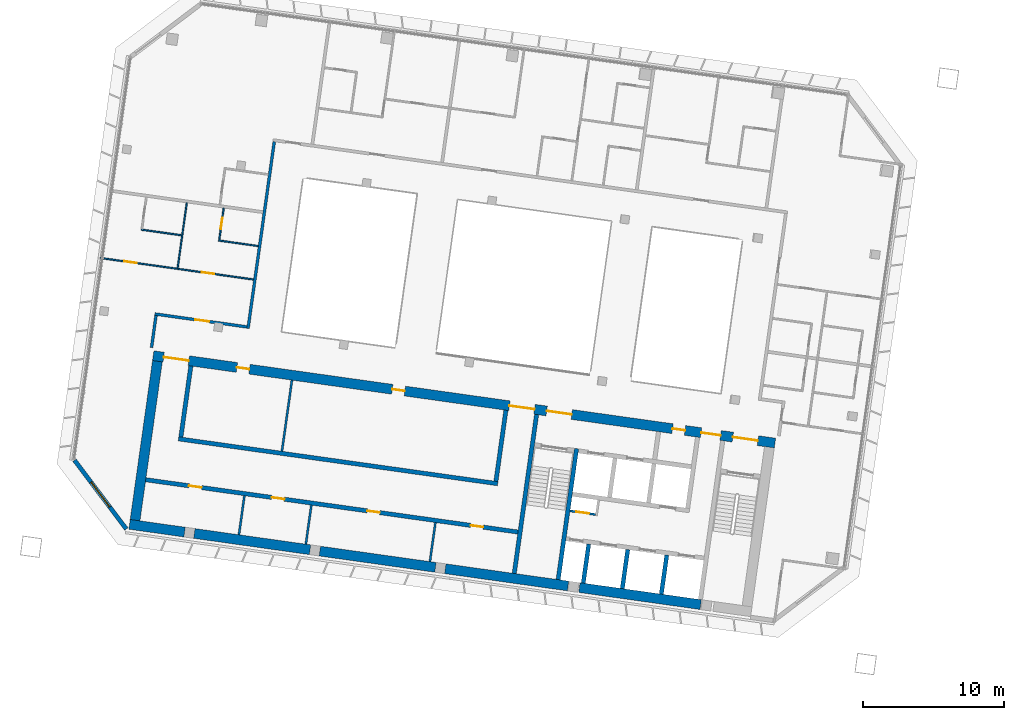
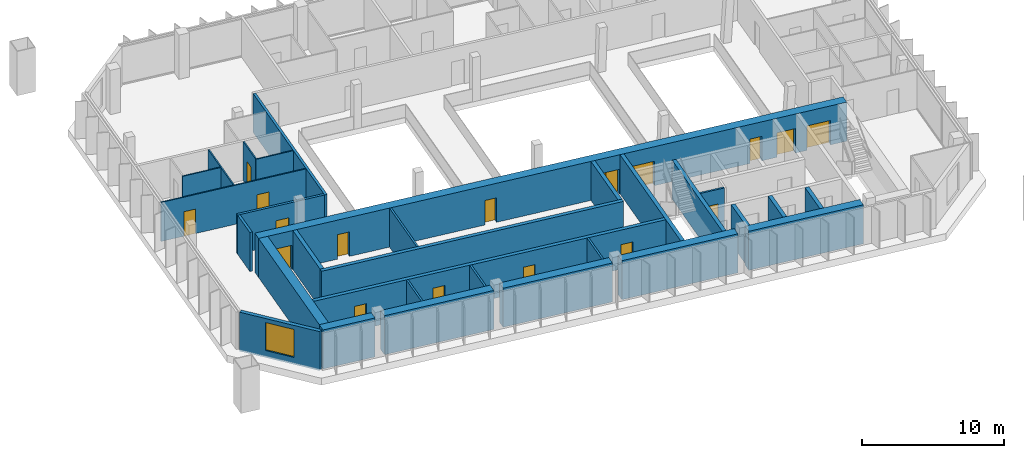
# One storey, part 13 of 23: 30 walls, 17 doors, 1 window, 18 openings.
"""IFC4 building model written with IfcOpenShell, lengths in metres."""

from ifc_helpers import new_model, si_unit, direction, frame, frame_2d, origin, place, context, subcontext, project, spatial, rectangle, extrude, material, layer, layer_set, type_object, element, fill, save


model = new_model("IFC4")

# Units and contexts
model_context = context("Model", 3, precision=1e-05, world=origin(), true_north=direction((0.0, 1.0)))
body_context = subcontext(model_context, "Body", "Model", "MODEL_VIEW")
ifc_project = project(units=[si_unit("LENGTHUNIT", "METRE"), si_unit("AREAUNIT", "SQUARE_METRE"), si_unit("VOLUMEUNIT", "CUBIC_METRE"), si_unit("PLANEANGLEUNIT", "RADIAN"), si_unit("MASSUNIT", "GRAM", prefix="KILO")], contexts=[model_context])

# Site, building, storey
site_placement = place(None, origin())
site = spatial("IfcSite", under=ifc_project, at=site_placement, CompositionType="ELEMENT")
building_placement = place(site_placement, origin())
building = spatial("IfcBuilding", under=site, at=building_placement, Name="Mirante Cascada Hotel Towers", CompositionType="ELEMENT")
storey_placement = place(building_placement, frame((0.0, 0.0, 187.8)))
storey = spatial("IfcBuildingStorey", under=building, at=storey_placement, Name="L44", CompositionType="ELEMENT", Elevation=187.8)

# Wall, opening, door
ifc_material_1 = material(Name="Fire-rated plasterboard on metal studs")
ifc_layer_1 = layer(ifc_material_1, 0.2)
ifc_layer_set_1 = layer_set([ifc_layer_1], Name="Compartment wall 200 EI 120")
wall_type_1 = type_object("IfcWallType", Name="Compartment wall 200 EI 120", PredefinedType="PARTITIONING", material=ifc_layer_set_1)
wall_1_placement = place(storey_placement, frame((-79.5905, 1.5361, 0.0), z_axis=(0.0, 0.0, 1.0), x_axis=(0.990267, -0.139181, 0.0)))
wall_1 = element("IfcWall", 1, at=wall_1_placement, inside=storey, type_object=wall_type_1, Name="Wall 1-L44-04", PredefinedType="PARTITIONING", context=body_context, shape_type="SweptSolid", body=[
    extrude(rectangle(XDim=6.6, YDim=0.2, at=frame_2d((3.3, 0.0))), origin(), (0.0, 0.0, 1.0), 3.35),
])
opening_1_placement = place(wall_1_placement, frame((2.9, 0.0, 0.0)))
opening_1 = element("IfcOpeningElement", 2, at=opening_1_placement, cuts=wall_1, Name="Opening D1-L44-03", PredefinedType="OPENING", context=body_context, shape_type="SweptSolid", body=[
    extrude(rectangle(XDim=1.0, YDim=2.1, at=frame_2d((0.5, 1.05))), frame((0.0, 0.1, 0.0), z_axis=(0.0, -1.0, 0.0), x_axis=(1.0, 0.0, 0.0)), (0.0, 0.0, 1.0), 0.2),
])
ifc_material_2 = material(Name="Fire-rated timber door leaf", Category="wood")
door_type_1 = type_object("IfcDoorType", Name="Entrance door DG1 1000x2100 EI 60", OperationType="SINGLE_SWING_LEFT", PredefinedType="DOOR", material=ifc_material_2)
door_1_placement = place(opening_1_placement, frame((1.0, 0.0, 0.0), z_axis=(0.0, 0.0, 1.0), x_axis=(-1.0, 0.0, 0.0)))
door_1 = element("IfcDoor", 3, at=door_1_placement, inside=storey, type_object=door_type_1, Name="Door D1-L44-03", OperationType="SINGLE_SWING_RIGHT", OverallHeight=2.1, OverallWidth=1.0, PredefinedType="DOOR", context=body_context, shape_type="SweptSolid", body=[
    extrude(rectangle(XDim=1.0, YDim=2.1, at=frame_2d((0.5, 1.05))), frame((0.0, 0.025, 0.0), z_axis=(0.0, -1.0, 0.0), x_axis=(1.0, 0.0, 0.0)), (0.0, 0.0, 1.0), 0.05),
])
fill(opening_1, door_1)

# Walls
wall_2_placement = place(storey_placement, frame((-71.1047, 13.7742, 0.0), z_axis=(0.0, 0.0, 1.0), x_axis=(-0.1391716, -0.9902683, 0.0)))
element("IfcWall", 4, at=wall_2_placement, inside=storey, type_object=wall_type_1, Name="Wall 1-L44-48", PredefinedType="PARTITIONING", context=body_context, shape_type="SweptSolid", body=[
    extrude(rectangle(XDim=13.4, YDim=0.2, at=frame_2d((6.7, 0.0))), origin(), (0.0, 0.0, 1.0), 3.35),
])
wall_3_placement = place(storey_placement, frame((-79.5054, 1.4231, 0.0), z_axis=(0.0, 0.0, 1.0), x_axis=(-0.1391749, -0.9902678, 0.0)))
element("IfcWall", 5, at=wall_3_placement, inside=storey, type_object=wall_type_1, Name="Wall 1-L44-52", PredefinedType="PARTITIONING", context=body_context, shape_type="SweptSolid", body=[
    extrude(rectangle(XDim=2.3, YDim=0.2, at=frame_2d((1.15, 0.0))), origin(), (0.0, 0.0, 1.0), 3.35),
])

# Wall, opening, door
ifc_material_3 = material(Name="Masonry block", Category="masonry")
ifc_layer_2 = layer(ifc_material_3, 0.15)
ifc_layer_set_2 = layer_set([ifc_layer_2], Name="Core room partition 150 block EI 30")
wall_type_2 = type_object("IfcWallType", Name="Core room partition 150 block EI 30", PredefinedType="PARTITIONING", material=ifc_layer_set_2)
wall_4_placement = place(storey_placement, frame((-48.2933, -12.7083, 0.0), z_axis=(0.0, 0.0, 1.0), x_axis=(-0.990268, 0.1391734, 0.0)))
wall_4 = element("IfcWall", 6, at=wall_4_placement, inside=storey, type_object=wall_type_2, Name="Core wall partition T1 L44 3", PredefinedType="PARTITIONING", context=body_context, shape_type="SweptSolid", body=[
    extrude(rectangle(XDim=1.8251, YDim=0.15, at=frame_2d((0.9126, 0.0))), origin(), (0.0, 0.0, 1.0), 3.35),
])
opening_2_placement = place(wall_4_placement, frame((0.4625, 0.0, 0.0)))
opening_2 = element("IfcOpeningElement", 7, at=opening_2_placement, cuts=wall_4, Name="Opening D1-44-C15", PredefinedType="OPENING", context=body_context, shape_type="SweptSolid", body=[
    extrude(rectangle(XDim=0.9, YDim=2.1, at=frame_2d((0.45, 1.05))), frame((0.0, 0.075, 0.0), z_axis=(0.0, -1.0, 0.0), x_axis=(1.0, 0.0, 0.0)), (0.0, 0.0, 1.0), 0.15),
])
ifc_material_4 = material(Name="Hollow metal fire door leaf")
door_type_2 = type_object("IfcDoorType", Name="Fire door 900x2100 FD60", OperationType="NOTDEFINED", PredefinedType="DOOR", material=ifc_material_4)
door_2_placement = place(opening_2_placement, origin())
door_2 = element("IfcDoor", 8, at=door_2_placement, inside=storey, type_object=door_type_2, Name="Riser door T1 L44 15", OperationType="SINGLE_SWING_LEFT", OverallHeight=2.1, OverallWidth=0.9, PredefinedType="DOOR", context=body_context, shape_type="SweptSolid", body=[
    extrude(rectangle(XDim=0.9, YDim=2.1, at=frame_2d((0.45, 1.05))), frame((0.0, 0.025, 0.0), z_axis=(0.0, -1.0, 0.0), x_axis=(1.0, 0.0, 0.0)), (0.0, 0.0, 1.0), 0.05),
])
fill(opening_2, door_2)

# Walls
wall_5_placement = place(storey_placement, frame((-60.0485, -16.0548, 0.0), z_axis=(0.0, 0.0, 1.0), x_axis=(0.139181, 0.990267, 0.0)))
element("IfcWall", 9, at=wall_5_placement, inside=storey, type_object=wall_type_2, Name="Core wall partition T1 L44 5", PredefinedType="PARTITIONING", context=body_context, shape_type="SweptSolid", body=[
    extrude(rectangle(XDim=2.8, YDim=0.15, at=frame_2d((1.4, 0.0))), origin(), (0.0, 0.0, 1.0), 3.35),
])
for number, where, z_axis, x_axis, name in (
    (10, (-68.8619, -14.8162, 0.0), (0.0, 0.0, 1.0), (0.139176, 0.9902677, 0.0), "Core wall partition T1 L44 6"),
    (11, (-73.6152, -14.1482, 0.0), (0.0, 0.0, 1.0), (0.139176, 0.9902677, 0.0), "Core wall partition T1 L44 7"),
):
    element("IfcWall", number, at=place(storey_placement, frame(where, z_axis=z_axis, x_axis=x_axis)), inside=storey, type_object=wall_type_2, Name=name, PredefinedType="PARTITIONING", context=body_context, shape_type="SweptSolid", body=[
        extrude(rectangle(XDim=2.8001, YDim=0.15, at=frame_2d((1.4, 0.0))), origin(), (0.0, 0.0, 1.0), 3.35),
    ])
wall_6_placement = place(storey_placement, frame((-70.5598, -8.2157, 0.0), z_axis=(0.0, 0.0, 1.0), x_axis=(0.1391755, 0.9902677, 0.0)))
element("IfcWall", 12, at=wall_6_placement, inside=storey, type_object=wall_type_2, Name="Core wall partition T1 L44 8", PredefinedType="PARTITIONING", context=body_context, shape_type="SweptSolid", body=[
    extrude(rectangle(XDim=5.1, YDim=0.15, at=frame_2d((2.55, 0.0))), origin(), (0.0, 0.0, 1.0), 3.35),
])

# Wall, openings, doors
ifc_material_5 = material(Name="Masonry block", Category="masonry")
ifc_layer_3 = layer(ifc_material_5, 0.3)
ifc_layer_set_3 = layer_set([ifc_layer_3], Name="Core wall 300 block EI 120")
wall_type_3 = type_object("IfcWallType", Name="Core wall 300 block EI 120", PredefinedType="PARTITIONING", material=ifc_layer_set_3)
wall_7_placement = place(storey_placement, frame((-53.7953, -13.9547, 0.0), z_axis=(0.0, 0.0, 1.0), x_axis=(-0.9902677, 0.1391758, 0.0)))
wall_7 = element("IfcWall", 13, at=wall_7_placement, inside=storey, type_object=wall_type_3, Name="Core wall partition T1 L44 4", PredefinedType="PARTITIONING", context=body_context, shape_type="SweptSolid", body=[
    extrude(rectangle(XDim=26.7001, YDim=0.3, at=frame_2d((13.35, 0.0))), origin(), (0.0, 0.0, 1.0), 3.35),
])
opening_3_placement = place(wall_7_placement, frame((2.5, 0.0, 0.0)))
opening_3 = element("IfcOpeningElement", 14, at=opening_3_placement, cuts=wall_7, Name="Opening D1-44-C17", PredefinedType="OPENING", context=body_context, shape_type="SweptSolid", body=[
    extrude(rectangle(XDim=0.9, YDim=2.1, at=frame_2d((0.45, 1.05))), frame((0.0, 0.15, 0.0), z_axis=(0.0, -1.0, 0.0), x_axis=(1.0, 0.0, 0.0)), (0.0, 0.0, 1.0), 0.3),
])
opening_4_placement = place(wall_7_placement, frame((9.9, 0.0, 0.0)))
opening_4 = element("IfcOpeningElement", 15, at=opening_4_placement, cuts=wall_7, Name="Opening D1-44-C18", PredefinedType="OPENING", context=body_context, shape_type="SweptSolid", body=[
    extrude(rectangle(XDim=0.9, YDim=2.1, at=frame_2d((0.45, 1.05))), frame((0.0, 0.15, 0.0), z_axis=(0.0, -1.0, 0.0), x_axis=(1.0, 0.0, 0.0)), (0.0, 0.0, 1.0), 0.3),
])
opening_5_placement = place(wall_7_placement, frame((16.75, 0.0, 0.0)))
opening_5 = element("IfcOpeningElement", 16, at=opening_5_placement, cuts=wall_7, Name="Opening D1-44-C19", PredefinedType="OPENING", context=body_context, shape_type="SweptSolid", body=[
    extrude(rectangle(XDim=0.9, YDim=2.1, at=frame_2d((0.45, 1.05))), frame((0.0, 0.15, 0.0), z_axis=(0.0, -1.0, 0.0), x_axis=(1.0, 0.0, 0.0)), (0.0, 0.0, 1.0), 0.3),
])
opening_6_placement = place(wall_7_placement, frame((22.7, 0.0, 0.0)))
opening_6 = element("IfcOpeningElement", 17, at=opening_6_placement, cuts=wall_7, Name="Opening D1-44-C20", PredefinedType="OPENING", context=body_context, shape_type="SweptSolid", body=[
    extrude(rectangle(XDim=0.9, YDim=2.1, at=frame_2d((0.45, 1.05))), frame((0.0, 0.15, 0.0), z_axis=(0.0, -1.0, 0.0), x_axis=(1.0, 0.0, 0.0)), (0.0, 0.0, 1.0), 0.3),
])
door_3_placement = place(opening_3_placement, origin())
door_3 = element("IfcDoor", 18, at=door_3_placement, inside=storey, type_object=door_type_2, Name="Room door T1 L44 17", OperationType="SINGLE_SWING_RIGHT", OverallHeight=2.1, OverallWidth=0.9, PredefinedType="DOOR", context=body_context, shape_type="SweptSolid", body=[
    extrude(rectangle(XDim=0.9, YDim=2.1, at=frame_2d((0.45, 1.05))), frame((0.0, 0.025, 0.0), z_axis=(0.0, -1.0, 0.0), x_axis=(1.0, 0.0, 0.0)), (0.0, 0.0, 1.0), 0.05),
])
fill(opening_3, door_3)
door_4_placement = place(opening_4_placement, origin())
door_4 = element("IfcDoor", 19, at=door_4_placement, inside=storey, type_object=door_type_2, Name="Room door T1 L44 18", OperationType="SINGLE_SWING_RIGHT", OverallHeight=2.1, OverallWidth=0.9, PredefinedType="DOOR", context=body_context, shape_type="SweptSolid", body=[
    extrude(rectangle(XDim=0.9, YDim=2.1, at=frame_2d((0.45, 1.05))), frame((0.0, 0.025, 0.0), z_axis=(0.0, -1.0, 0.0), x_axis=(1.0, 0.0, 0.0)), (0.0, 0.0, 1.0), 0.05),
])
fill(opening_4, door_4)
door_5_placement = place(opening_5_placement, origin())
door_5 = element("IfcDoor", 20, at=door_5_placement, inside=storey, type_object=door_type_2, Name="Room door T1 L44 19", OperationType="SINGLE_SWING_LEFT", OverallHeight=2.1, OverallWidth=0.9, PredefinedType="DOOR", context=body_context, shape_type="SweptSolid", body=[
    extrude(rectangle(XDim=0.9, YDim=2.1, at=frame_2d((0.45, 1.05))), frame((0.0, 0.025, 0.0), z_axis=(0.0, -1.0, 0.0), x_axis=(1.0, 0.0, 0.0)), (0.0, 0.0, 1.0), 0.05),
])
fill(opening_5, door_5)
door_6_placement = place(opening_6_placement, origin())
door_6 = element("IfcDoor", 21, at=door_6_placement, inside=storey, type_object=door_type_2, Name="Room door T1 L44 20", OperationType="SINGLE_SWING_LEFT", OverallHeight=2.1, OverallWidth=0.9, PredefinedType="DOOR", context=body_context, shape_type="SweptSolid", body=[
    extrude(rectangle(XDim=0.9, YDim=2.1, at=frame_2d((0.45, 1.05))), frame((0.0, 0.025, 0.0), z_axis=(0.0, -1.0, 0.0), x_axis=(1.0, 0.0, 0.0)), (0.0, 0.0, 1.0), 0.05),
])
fill(opening_6, door_6)

ifc_material_6 = material(Name="Plasterboard on metal studs")
ifc_layer_4 = layer(ifc_material_6, 0.1)
ifc_layer_set_4 = layer_set([ifc_layer_4], Name="Partition 100")
wall_type_4 = type_object("IfcWallType", Name="Partition 100", PredefinedType="PARTITIONING", material=ifc_layer_set_4)
wall_8_placement = place(storey_placement, frame((-83.4745, 5.5153, 0.0), z_axis=(0.0, 0.0, 1.0), x_axis=(0.9902682, -0.1391721, 0.0)))
wall_8 = element("IfcWall", 22, at=wall_8_placement, inside=storey, type_object=wall_type_4, Name="Wall 1-L44-08", PredefinedType="PARTITIONING", context=body_context, shape_type="SweptSolid", body=[
    extrude(rectangle(XDim=11.0001, YDim=0.1, at=frame_2d((5.5, 0.0))), origin(), (0.0, 0.0, 1.0), 3.35),
])
opening_7_placement = place(wall_8_placement, frame((7.275, 0.0, 0.0)))
opening_7 = element("IfcOpeningElement", 23, at=opening_7_placement, cuts=wall_8, Name="Opening D1-L44-04", PredefinedType="OPENING", context=body_context, shape_type="SweptSolid", body=[
    extrude(rectangle(XDim=0.9, YDim=2.1, at=frame_2d((0.45, 1.05))), frame((0.0, 0.05, 0.0), z_axis=(0.0, -1.0, 0.0), x_axis=(1.0, 0.0, 0.0)), (0.0, 0.0, 1.0), 0.1),
])
opening_8_placement = place(wall_8_placement, frame((1.725, 0.0, 0.0)))
opening_8 = element("IfcOpeningElement", 24, at=opening_8_placement, cuts=wall_8, Name="Opening D1-L44-05", PredefinedType="OPENING", context=body_context, shape_type="SweptSolid", body=[
    extrude(rectangle(XDim=0.9, YDim=2.1, at=frame_2d((0.45, 1.05))), frame((0.0, 0.05, 0.0), z_axis=(0.0, -1.0, 0.0), x_axis=(1.0, 0.0, 0.0)), (0.0, 0.0, 1.0), 0.1),
])
ifc_material_7 = material(Name="Timber door leaf", Category="wood")
door_type_3 = type_object("IfcDoorType", Name="Room door DG3 900x2100", OperationType="SINGLE_SWING_LEFT", PredefinedType="DOOR", material=ifc_material_7)
door_7_placement = place(opening_7_placement, frame((0.9, 0.0, 0.0), z_axis=(0.0, 0.0, 1.0), x_axis=(-1.0, 0.0, 0.0)))
door_7 = element("IfcDoor", 25, at=door_7_placement, inside=storey, type_object=door_type_3, Name="Door D1-L44-04", OperationType="SINGLE_SWING_RIGHT", OverallHeight=2.1, OverallWidth=0.9, PredefinedType="DOOR", context=body_context, shape_type="SweptSolid", body=[
    extrude(rectangle(XDim=0.9, YDim=2.1, at=frame_2d((0.45, 1.05))), frame((0.0, 0.025, 0.0), z_axis=(0.0, -1.0, 0.0), x_axis=(1.0, 0.0, 0.0)), (0.0, 0.0, 1.0), 0.05),
])
fill(opening_7, door_7)
door_8_placement = place(opening_8_placement, frame((0.9, 0.0, 0.0), z_axis=(0.0, 0.0, 1.0), x_axis=(-1.0, 0.0, 0.0)))
door_8 = element("IfcDoor", 26, at=door_8_placement, inside=storey, type_object=door_type_3, Name="Door D1-L44-05", OperationType="SINGLE_SWING_RIGHT", OverallHeight=2.1, OverallWidth=0.9, PredefinedType="DOOR", context=body_context, shape_type="SweptSolid", body=[
    extrude(rectangle(XDim=0.9, YDim=2.1, at=frame_2d((0.45, 1.05))), frame((0.0, 0.025, 0.0), z_axis=(0.0, -1.0, 0.0), x_axis=(1.0, 0.0, 0.0)), (0.0, 0.0, 1.0), 0.05),
])
fill(opening_8, door_8)

# Walls
wall_9_placement = place(storey_placement, frame((-72.2475, 6.3611, 0.0), z_axis=(0.0, 0.0, 1.0), x_axis=(-0.9902704, 0.1391564, 0.0)))
element("IfcWall", 27, at=wall_9_placement, inside=storey, type_object=wall_type_4, Name="Wall 1-L44-11", PredefinedType="PARTITIONING", context=body_context, shape_type="SweptSolid", body=[
    extrude(rectangle(XDim=2.85, YDim=0.1, at=frame_2d((1.425, 0.0))), origin(), (0.0, 0.0, 1.0), 3.35),
])
wall_10_placement = place(storey_placement, frame((-80.5658, 7.5301, 0.0), z_axis=(0.0, 0.0, 1.0), x_axis=(0.9902683, -0.1391714, 0.0)))
element("IfcWall", 28, at=wall_10_placement, inside=storey, type_object=wall_type_4, Name="Wall 1-L44-12", PredefinedType="PARTITIONING", context=body_context, shape_type="SweptSolid", body=[
    extrude(rectangle(XDim=2.9, YDim=0.1, at=frame_2d((1.45, 0.0))), origin(), (0.0, 0.0, 1.0), 3.35),
])

# Wall, opening, door
wall_11_placement = place(storey_placement, frame((-75.0133, 6.8003, 0.0), z_axis=(0.0, 0.0, 1.0), x_axis=(0.139183, 0.9902667, 0.0)))
wall_11 = element("IfcWall", 29, at=wall_11_placement, inside=storey, type_object=wall_type_4, Name="Wall 1-L44-49", PredefinedType="PARTITIONING", context=body_context, shape_type="SweptSolid", body=[
    extrude(rectangle(XDim=2.2833, YDim=0.1, at=frame_2d((1.1416, 0.0))), origin(), (0.0, 0.0, 1.0), 3.35),
])
opening_9_placement = place(wall_11_placement, frame((0.7833, 0.0, 0.0)))
opening_9 = element("IfcOpeningElement", 30, at=opening_9_placement, cuts=wall_11, Name="Opening D1-L44-32", PredefinedType="OPENING", context=body_context, shape_type="SweptSolid", body=[
    extrude(rectangle(XDim=0.8, YDim=2.1, at=frame_2d((0.4, 1.05))), frame((0.0, 0.05, 0.0), z_axis=(0.0, -1.0, 0.0), x_axis=(1.0, 0.0, 0.0)), (0.0, 0.0, 1.0), 0.1),
])
ifc_material_8 = material(Name="Timber door leaf", Category="wood")
door_type_4 = type_object("IfcDoorType", Name="Bathroom door DG4 800x2100", OperationType="SINGLE_SWING_LEFT", PredefinedType="DOOR", material=ifc_material_8)
door_9_placement = place(opening_9_placement, origin())
door_9 = element("IfcDoor", 31, at=door_9_placement, inside=storey, type_object=door_type_4, Name="Door D1-L44-32", OperationType="SINGLE_SWING_LEFT", OverallHeight=2.1, OverallWidth=0.8, PredefinedType="DOOR", context=body_context, shape_type="SweptSolid", body=[
    extrude(rectangle(XDim=0.8, YDim=2.1, at=frame_2d((0.4, 1.05))), frame((0.0, 0.025, 0.0), z_axis=(0.0, -1.0, 0.0), x_axis=(1.0, 0.0, 0.0)), (0.0, 0.0, 1.0), 0.05),
])
fill(opening_9, door_9)

# Wall
wall_12_placement = place(storey_placement, frame((-77.9715, 4.7925, 0.0), z_axis=(0.0, 0.0, 1.0), x_axis=(0.139176, 0.9902677, 0.0)))
element("IfcWall", 32, at=wall_12_placement, inside=storey, type_object=wall_type_4, Name="Wall 1-L44-51", PredefinedType="PARTITIONING", context=body_context, shape_type="SweptSolid", body=[
    extrude(rectangle(XDim=4.6833, YDim=0.1, at=frame_2d((2.3416, 0.0))), origin(), (0.0, 0.0, 1.0), 3.35),
])

# Wall, opening, window
ifc_material_9 = material(Name="Precast concrete C40/50", Category="concrete")
ifc_layer_5 = layer(ifc_material_9, 0.3)
ifc_layer_set_5 = layer_set([ifc_layer_5], Name="Precast concrete C40/50 cladding wall 300")
wall_type_5 = type_object("IfcWallType", Name="Precast concrete C40/50 cladding wall 300", PredefinedType="STANDARD", material=ifc_layer_set_5)
wall_13_placement = place(storey_placement, frame((-81.6175, -13.7366, 0.0), z_axis=(0.0, 0.0, 1.0), x_axis=(-0.6018141, 0.7986362, 0.0)))
wall_13 = element("IfcWall", 33, at=wall_13_placement, inside=storey, type_object=wall_type_5, Name="Corner cladding wall T1 L44 rear outer", PredefinedType="STANDARD", context=body_context, shape_type="SweptSolid", body=[
    extrude(rectangle(XDim=6.1157, YDim=0.3, at=frame_2d((3.0578, 0.0))), origin(), (0.0, 0.0, 1.0), 3.35),
])
opening_10_placement = place(wall_13_placement, frame((1.9578, 0.0, 0.6)))
opening_10 = element("IfcOpeningElement", 34, at=opening_10_placement, cuts=wall_13, Name="Opening W1-44-01", PredefinedType="OPENING", context=body_context, shape_type="SweptSolid", body=[
    extrude(rectangle(XDim=2.2, YDim=2.4, at=frame_2d((1.1, 1.2))), frame((0.0, 0.15, 0.0), z_axis=(0.0, -1.0, 0.0), x_axis=(1.0, 0.0, 0.0)), (0.0, 0.0, 1.0), 0.3),
])
ifc_material_10 = material(Name="Aluminium frame with clear double glazing", Category="aluminium")
window_type = type_object("IfcWindowType", Name="Corner suite window 2200x2400", PartitioningType="DOUBLE_PANEL_VERTICAL", PredefinedType="WINDOW", material=ifc_material_10)
window_placement = place(opening_10_placement, origin())
window = element("IfcWindow", 35, at=window_placement, inside=storey, type_object=window_type, Name="Window W1-44-01", OverallHeight=2.4, OverallWidth=2.2, PartitioningType="SINGLE_PANEL", PredefinedType="WINDOW", context=body_context, shape_type="SweptSolid", body=[
    extrude(rectangle(XDim=2.2, YDim=2.4, at=frame_2d((1.1, 1.2))), frame((0.0, 0.03, 0.0), z_axis=(0.0, -1.0, 0.0), x_axis=(1.0, 0.0, 0.0)), (0.0, 0.0, 1.0), 0.06),
])
fill(opening_10, window)

# Walls
ifc_material_11 = material(Name="Concrete C50/60", Category="concrete")
ifc_layer_6 = layer(ifc_material_11, 0.3)
ifc_layer_set_6 = layer_set([ifc_layer_6], Name="RC core wall 300 C50/60")
wall_type_6 = type_object("IfcWallType", Name="RC core wall 300 C50/60", PredefinedType="SHEAR", material=ifc_layer_set_6)
wall_14_placement = place(storey_placement, frame((-50.938, -17.3352, 0.0), z_axis=(0.0, 0.0, 1.0), x_axis=(0.1391706, 0.9902684, 0.0)))
element("IfcWall", 36, at=wall_14_placement, inside=storey, type_object=wall_type_6, Name="Core wall T1:L44:6", PredefinedType="SHEAR", context=body_context, shape_type="SweptSolid", body=[
    extrude(rectangle(XDim=9.4, YDim=0.3, at=frame_2d((4.7, 0.0))), origin(), (0.0, 0.0, 1.0), 3.35),
])
wall_15_placement = place(storey_placement, frame((-54.0574, -16.8968, 0.0), z_axis=(0.0, 0.0, 1.0), x_axis=(0.1391761, 0.9902677, 0.0)))
element("IfcWall", 37, at=wall_15_placement, inside=storey, type_object=wall_type_6, Name="Core wall T1:L44:7", PredefinedType="SHEAR", context=body_context, shape_type="SweptSolid", body=[
    extrude(rectangle(XDim=11.3999, YDim=0.3, at=frame_2d((5.7, 0.0))), origin(), (0.0, 0.0, 1.0), 3.35),
])
wall_16_placement = place(storey_placement, frame((-43.61, -18.3651, 0.0), z_axis=(0.0, 0.0, 1.0), x_axis=(0.1391459, 0.9902719, 0.0)))
element("IfcWall", 38, at=wall_16_placement, inside=storey, type_object=wall_type_6, Name="Core wall T1:L44:13", PredefinedType="SHEAR", context=body_context, shape_type="SweptSolid", body=[
    extrude(rectangle(XDim=2.7999, YDim=0.3, at=frame_2d((1.4, 0.0))), origin(), (0.0, 0.0, 1.0), 3.35),
])
wall_17_placement = place(storey_placement, frame((-46.3828, -17.9754, 0.0), z_axis=(0.0, 0.0, 1.0), x_axis=(0.139181, 0.990267, 0.0)))
element("IfcWall", 39, at=wall_17_placement, inside=storey, type_object=wall_type_6, Name="Core wall T1:L44:14", PredefinedType="SHEAR", context=body_context, shape_type="SweptSolid", body=[
    extrude(rectangle(XDim=2.8, YDim=0.3, at=frame_2d((1.4, 0.0))), origin(), (0.0, 0.0, 1.0), 3.35),
])
wall_18_placement = place(storey_placement, frame((-49.1555, -17.5857, 0.0), z_axis=(0.0, 0.0, 1.0), x_axis=(0.1391459, 0.9902719, 0.0)))
element("IfcWall", 40, at=wall_18_placement, inside=storey, type_object=wall_type_6, Name="Core wall T1:L44:15", PredefinedType="SHEAR", context=body_context, shape_type="SweptSolid", body=[
    extrude(rectangle(XDim=2.7999, YDim=0.3, at=frame_2d((1.4, 0.0))), origin(), (0.0, 0.0, 1.0), 3.35),
])
wall_19_placement = place(storey_placement, frame((-55.2315, -10.5214, 0.0), z_axis=(0.0, 0.0, 1.0), x_axis=(-0.9902678, 0.1391749, 0.0)))
element("IfcWall", 41, at=wall_19_placement, inside=storey, type_object=wall_type_6, Name="Core wall T1:L44:26", PredefinedType="SHEAR", context=body_context, shape_type="SweptSolid", body=[
    extrude(rectangle(XDim=22.9, YDim=0.3, at=frame_2d((11.45, 0.0))), origin(), (0.0, 0.0, 1.0), 3.35),
])
for number, where, z_axis, x_axis, name in (
    (42, (-55.3592, -10.352, 0.0), (0.0, 0.0, 1.0), (0.1391755, 0.9902677, 0.0), "Core wall T1:L44:27"),
    (43, (-77.7392, -7.2067, 0.0), (0.0, 0.0, 1.0), (0.1391755, 0.9902677, 0.0), "Core wall T1:L44:28"),
):
    element("IfcWall", number, at=place(storey_placement, frame(where, z_axis=z_axis, x_axis=x_axis)), inside=storey, type_object=wall_type_6, Name=name, PredefinedType="SHEAR", context=body_context, shape_type="SweptSolid", body=[
        extrude(rectangle(XDim=5.1, YDim=0.3, at=frame_2d((2.55, 0.0))), origin(), (0.0, 0.0, 1.0), 3.35),
    ])
ifc_material_12 = material(Name="Concrete C50/60", Category="concrete")
ifc_layer_7 = layer(ifc_material_12, 0.7)
ifc_layer_set_7 = layer_set([ifc_layer_7], Name="RC core wall 700 C50/60")
wall_type_7 = type_object("IfcWallType", Name="RC core wall 700 C50/60", PredefinedType="SHEAR", material=ifc_layer_set_7)
wall_20_placement = place(storey_placement, frame((-40.8184, -19.1109, 0.0), z_axis=(0.0, 0.0, 1.0), x_axis=(-0.9902671, 0.1391798, 0.0)))
element("IfcWall", 44, at=wall_20_placement, inside=storey, type_object=wall_type_7, Name="Core wall T1:L44:1.2", PredefinedType="SHEAR", context=body_context, shape_type="SweptSolid", body=[
    extrude(rectangle(XDim=8.6952, YDim=0.7, at=frame_2d((4.3476, 0.0))), origin(), (0.0, 0.0, 1.0), 3.35),
])
wall_21_placement = place(storey_placement, frame((-50.235, -17.7875, 0.0), z_axis=(0.0, 0.0, 1.0), x_axis=(-0.990268, 0.1391738, 0.0)))
element("IfcWall", 45, at=wall_21_placement, inside=storey, type_object=wall_type_7, Name="Core wall T1:L44:1.3", PredefinedType="SHEAR", context=body_context, shape_type="SweptSolid", body=[
    extrude(rectangle(XDim=8.8091, YDim=0.7, at=frame_2d((4.4046, 0.0))), origin(), (0.0, 0.0, 1.0), 3.35),
])
for number, where, z_axis, x_axis, name in (
    (46, (-59.6516, -16.4641, 0.0), (0.0, 0.0, 1.0), (-0.990267, 0.139181, 0.0), "Core wall T1:L44:1.4"),
    (47, (-68.564, -15.2115, 0.0), (0.0, 0.0, 1.0), (-0.9902686, 0.1391692, 0.0), "Core wall T1:L44:1.5"),
):
    element("IfcWall", number, at=place(storey_placement, frame(where, z_axis=z_axis, x_axis=x_axis)), inside=storey, type_object=wall_type_7, Name=name, PredefinedType="SHEAR", context=body_context, shape_type="SweptSolid", body=[
        extrude(rectangle(XDim=8.3, YDim=0.7, at=frame_2d((4.15, 0.0))), origin(), (0.0, 0.0, 1.0), 3.35),
    ])
wall_22_placement = place(storey_placement, frame((-77.4764, -13.9589, 0.0), z_axis=(0.0, 0.0, 1.0), x_axis=(-0.9902694, 0.1391633, 0.0)))
element("IfcWall", 48, at=wall_22_placement, inside=storey, type_object=wall_type_7, Name="Core wall T1:L44:1.6", PredefinedType="SHEAR", context=body_context, shape_type="SweptSolid", body=[
    extrude(rectangle(XDim=3.95, YDim=0.7, at=frame_2d((1.975, 0.0))), origin(), (0.0, 0.0, 1.0), 3.35),
])

# Wall, openings, doors
wall_23_placement = place(storey_placement, frame((-35.538, -7.6341, 0.0), z_axis=(0.0, 0.0, 1.0), x_axis=(-0.9902682, 0.1391725, 0.0)))
wall_23 = element("IfcWall", 49, at=wall_23_placement, inside=storey, type_object=wall_type_7, Name="Core wall T1:L44:2", PredefinedType="SHEAR", context=body_context, shape_type="SweptSolid", body=[
    extrude(rectangle(XDim=44.6, YDim=0.7, at=frame_2d((22.3, 0.0))), origin(), (0.0, 0.0, 1.0), 3.35),
])
opening_11_placement = place(wall_23_placement, frame((1.225, 0.0, 0.0)))
opening_11 = element("IfcOpeningElement", 50, at=opening_11_placement, cuts=wall_23, Name="Opening D1-44-C08", PredefinedType="OPENING", context=body_context, shape_type="SweptSolid", body=[
    extrude(rectangle(XDim=1.8, YDim=2.1, at=frame_2d((0.9, 1.05))), frame((0.0, 0.35, 0.0), z_axis=(0.0, -1.0, 0.0), x_axis=(1.0, 0.0, 0.0)), (0.0, 0.0, 1.0), 0.7),
])
opening_12_placement = place(wall_23_placement, frame((14.575, 0.0, 0.0)))
opening_12 = element("IfcOpeningElement", 51, at=opening_12_placement, cuts=wall_23, Name="Opening D1-44-C10", PredefinedType="OPENING", context=body_context, shape_type="SweptSolid", body=[
    extrude(rectangle(XDim=1.8, YDim=2.1, at=frame_2d((0.9, 1.05))), frame((0.0, 0.35, 0.0), z_axis=(0.0, -1.0, 0.0), x_axis=(1.0, 0.0, 0.0)), (0.0, 0.0, 1.0), 0.7),
])
opening_13_placement = place(wall_23_placement, frame((3.9, 0.0, 0.0)))
opening_13 = element("IfcOpeningElement", 52, at=opening_13_placement, cuts=wall_23, Name="Opening D1-44-C11", PredefinedType="OPENING", context=body_context, shape_type="SweptSolid", body=[
    extrude(rectangle(XDim=1.4, YDim=2.1, at=frame_2d((0.7, 1.05))), frame((0.0, 0.35, 0.0), z_axis=(0.0, -1.0, 0.0), x_axis=(1.0, 0.0, 0.0)), (0.0, 0.0, 1.0), 0.7),
])
opening_14_placement = place(wall_23_placement, frame((17.25, 0.0, 0.0)))
opening_14 = element("IfcOpeningElement", 53, at=opening_14_placement, cuts=wall_23, Name="Opening D1-44-C12", PredefinedType="OPENING", context=body_context, shape_type="SweptSolid", body=[
    extrude(rectangle(XDim=1.8, YDim=2.1, at=frame_2d((0.9, 1.05))), frame((0.0, 0.35, 0.0), z_axis=(0.0, -1.0, 0.0), x_axis=(1.0, 0.0, 0.0)), (0.0, 0.0, 1.0), 0.7),
])
opening_15_placement = place(wall_23_placement, frame((42.05, 0.0, 0.0)))
opening_15 = element("IfcOpeningElement", 54, at=opening_15_placement, cuts=wall_23, Name="Opening D1-44-C13", PredefinedType="OPENING", context=body_context, shape_type="SweptSolid", body=[
    extrude(rectangle(XDim=1.8, YDim=2.1, at=frame_2d((0.9, 1.05))), frame((0.0, 0.35, 0.0), z_axis=(0.0, -1.0, 0.0), x_axis=(1.0, 0.0, 0.0)), (0.0, 0.0, 1.0), 0.7),
])
opening_16_placement = place(wall_23_placement, frame((6.45, 0.0, 0.0)))
opening_16 = element("IfcOpeningElement", 55, at=opening_16_placement, cuts=wall_23, Name="Opening D1-44-C16", PredefinedType="OPENING", context=body_context, shape_type="SweptSolid", body=[
    extrude(rectangle(XDim=0.9, YDim=2.1, at=frame_2d((0.45, 1.05))), frame((0.0, 0.35, 0.0), z_axis=(0.0, -1.0, 0.0), x_axis=(1.0, 0.0, 0.0)), (0.0, 0.0, 1.0), 0.7),
])
opening_17_placement = place(wall_23_placement, frame((26.55, 0.0, 0.0)))
opening_17 = element("IfcOpeningElement", 56, at=opening_17_placement, cuts=wall_23, Name="Opening D1-44-C21", PredefinedType="OPENING", context=body_context, shape_type="SweptSolid", body=[
    extrude(rectangle(XDim=0.9, YDim=2.1, at=frame_2d((0.45, 1.05))), frame((0.0, 0.35, 0.0), z_axis=(0.0, -1.0, 0.0), x_axis=(1.0, 0.0, 0.0)), (0.0, 0.0, 1.0), 0.7),
])
opening_18_placement = place(wall_23_placement, frame((37.7, 0.0, 0.0)))
opening_18 = element("IfcOpeningElement", 57, at=opening_18_placement, cuts=wall_23, Name="Opening D1-44-C22", PredefinedType="OPENING", context=body_context, shape_type="SweptSolid", body=[
    extrude(rectangle(XDim=0.9, YDim=2.1, at=frame_2d((0.45, 1.05))), frame((0.0, 0.35, 0.0), z_axis=(0.0, -1.0, 0.0), x_axis=(1.0, 0.0, 0.0)), (0.0, 0.0, 1.0), 0.7),
])
ifc_material_13 = material(Name="Hollow metal fire door leaf")
door_type_5 = type_object("IfcDoorType", Name="Double fire door 1400x2100 FD60", OperationType="DOUBLE_DOOR_SINGLE_SWING", PredefinedType="DOOR", material=ifc_material_13)
door_10_placement = place(opening_13_placement, frame((1.4, 0.0, 0.0), z_axis=(0.0, 0.0, 1.0), x_axis=(-1.0, 0.0, 0.0)))
door_10 = element("IfcDoor", 58, at=door_10_placement, inside=storey, type_object=door_type_5, Name="Exit door to gallery T1 L44 11", OperationType="DOUBLE_DOOR_SINGLE_SWING", OverallHeight=2.1, OverallWidth=1.4, PredefinedType="DOOR", context=body_context, shape_type="SweptSolid", body=[
    extrude(rectangle(XDim=0.695, YDim=2.1, at=frame_2d((0.3475, 1.05))), frame((0.0, 0.025, 0.0), z_axis=(0.0, -1.0, 0.0), x_axis=(1.0, 0.0, 0.0)), (0.0, 0.0, 1.0), 0.05),
    extrude(rectangle(XDim=0.695, YDim=2.1, at=frame_2d((1.0525, 1.05))), frame((0.0, 0.025, 0.0), z_axis=(0.0, -1.0, 0.0), x_axis=(1.0, 0.0, 0.0)), (0.0, 0.0, 1.0), 0.05),
])
fill(opening_13, door_10)
ifc_material_14 = material(Name="Hollow metal fire door leaf")
door_type_6 = type_object("IfcDoorType", Name="Double fire door 1800x2100 FD60", OperationType="DOUBLE_DOOR_SINGLE_SWING", PredefinedType="DOOR", material=ifc_material_14)
door_11_placement = place(opening_11_placement, origin())
door_11 = element("IfcDoor", 59, at=door_11_placement, inside=storey, type_object=door_type_6, Name="Exit door to gallery T1 L44 8", OperationType="DOUBLE_DOOR_SINGLE_SWING", OverallHeight=2.1, OverallWidth=1.8, PredefinedType="DOOR", context=body_context, shape_type="SweptSolid", body=[
    extrude(rectangle(XDim=0.895, YDim=2.1, at=frame_2d((0.4475, 1.05))), frame((0.0, 0.025, 0.0), z_axis=(0.0, -1.0, 0.0), x_axis=(1.0, 0.0, 0.0)), (0.0, 0.0, 1.0), 0.05),
    extrude(rectangle(XDim=0.895, YDim=2.1, at=frame_2d((1.3525, 1.05))), frame((0.0, 0.025, 0.0), z_axis=(0.0, -1.0, 0.0), x_axis=(1.0, 0.0, 0.0)), (0.0, 0.0, 1.0), 0.05),
])
fill(opening_11, door_11)
door_12_placement = place(opening_12_placement, origin())
door_12 = element("IfcDoor", 60, at=door_12_placement, inside=storey, type_object=door_type_6, Name="Exit door to gallery T1 L44 10", OperationType="DOUBLE_DOOR_SINGLE_SWING", OverallHeight=2.1, OverallWidth=1.8, PredefinedType="DOOR", context=body_context, shape_type="SweptSolid", body=[
    extrude(rectangle(XDim=0.895, YDim=2.1, at=frame_2d((0.4475, 1.05))), frame((0.0, 0.025, 0.0), z_axis=(0.0, -1.0, 0.0), x_axis=(1.0, 0.0, 0.0)), (0.0, 0.0, 1.0), 0.05),
    extrude(rectangle(XDim=0.895, YDim=2.1, at=frame_2d((1.3525, 1.05))), frame((0.0, 0.025, 0.0), z_axis=(0.0, -1.0, 0.0), x_axis=(1.0, 0.0, 0.0)), (0.0, 0.0, 1.0), 0.05),
])
fill(opening_12, door_12)
door_13_placement = place(opening_14_placement, frame((1.8, 0.0, 0.0), z_axis=(0.0, 0.0, 1.0), x_axis=(-1.0, 0.0, 0.0)))
door_13 = element("IfcDoor", 61, at=door_13_placement, inside=storey, type_object=door_type_6, Name="Exit door to gallery T1 L44 12", OperationType="DOUBLE_DOOR_SINGLE_SWING", OverallHeight=2.1, OverallWidth=1.8, PredefinedType="DOOR", context=body_context, shape_type="SweptSolid", body=[
    extrude(rectangle(XDim=0.895, YDim=2.1, at=frame_2d((0.4475, 1.05))), frame((0.0, 0.025, 0.0), z_axis=(0.0, -1.0, 0.0), x_axis=(1.0, 0.0, 0.0)), (0.0, 0.0, 1.0), 0.05),
    extrude(rectangle(XDim=0.895, YDim=2.1, at=frame_2d((1.3525, 1.05))), frame((0.0, 0.025, 0.0), z_axis=(0.0, -1.0, 0.0), x_axis=(1.0, 0.0, 0.0)), (0.0, 0.0, 1.0), 0.05),
])
fill(opening_14, door_13)
door_14_placement = place(opening_15_placement, frame((1.8, 0.0, 0.0), z_axis=(0.0, 0.0, 1.0), x_axis=(-1.0, 0.0, 0.0)))
door_14 = element("IfcDoor", 62, at=door_14_placement, inside=storey, type_object=door_type_6, Name="Exit door to gallery T1 L44 13", OperationType="DOUBLE_DOOR_SINGLE_SWING", OverallHeight=2.1, OverallWidth=1.8, PredefinedType="DOOR", context=body_context, shape_type="SweptSolid", body=[
    extrude(rectangle(XDim=0.895, YDim=2.1, at=frame_2d((0.4475, 1.05))), frame((0.0, 0.025, 0.0), z_axis=(0.0, -1.0, 0.0), x_axis=(1.0, 0.0, 0.0)), (0.0, 0.0, 1.0), 0.05),
    extrude(rectangle(XDim=0.895, YDim=2.1, at=frame_2d((1.3525, 1.05))), frame((0.0, 0.025, 0.0), z_axis=(0.0, -1.0, 0.0), x_axis=(1.0, 0.0, 0.0)), (0.0, 0.0, 1.0), 0.05),
])
fill(opening_15, door_14)
door_15_placement = place(opening_16_placement, origin())
door_15 = element("IfcDoor", 63, at=door_15_placement, inside=storey, type_object=door_type_2, Name="Room door T1 L44 16", OperationType="SINGLE_SWING_RIGHT", OverallHeight=2.1, OverallWidth=0.9, PredefinedType="DOOR", context=body_context, shape_type="SweptSolid", body=[
    extrude(rectangle(XDim=0.9, YDim=2.1, at=frame_2d((0.45, 1.05))), frame((0.0, 0.025, 0.0), z_axis=(0.0, -1.0, 0.0), x_axis=(1.0, 0.0, 0.0)), (0.0, 0.0, 1.0), 0.05),
])
fill(opening_16, door_15)
door_16_placement = place(opening_17_placement, origin())
door_16 = element("IfcDoor", 64, at=door_16_placement, inside=storey, type_object=door_type_2, Name="Room door T1 L44 21", OperationType="SINGLE_SWING_LEFT", OverallHeight=2.1, OverallWidth=0.9, PredefinedType="DOOR", context=body_context, shape_type="SweptSolid", body=[
    extrude(rectangle(XDim=0.9, YDim=2.1, at=frame_2d((0.45, 1.05))), frame((0.0, 0.025, 0.0), z_axis=(0.0, -1.0, 0.0), x_axis=(1.0, 0.0, 0.0)), (0.0, 0.0, 1.0), 0.05),
])
fill(opening_17, door_16)
door_17_placement = place(opening_18_placement, origin())
door_17 = element("IfcDoor", 65, at=door_17_placement, inside=storey, type_object=door_type_2, Name="Room door T1 L44 22", OperationType="SINGLE_SWING_LEFT", OverallHeight=2.1, OverallWidth=0.9, PredefinedType="DOOR", context=body_context, shape_type="SweptSolid", body=[
    extrude(rectangle(XDim=0.9, YDim=2.1, at=frame_2d((0.45, 1.05))), frame((0.0, 0.025, 0.0), z_axis=(0.0, -1.0, 0.0), x_axis=(1.0, 0.0, 0.0)), (0.0, 0.0, 1.0), 0.05),
])
fill(opening_18, door_17)

# Wall
wall_24_placement = place(storey_placement, frame((-80.9927, -13.1113, 0.0), z_axis=(0.0, 0.0, 1.0), x_axis=(0.1391761, 0.9902677, 0.0)))
element("IfcWall", 66, at=wall_24_placement, inside=storey, type_object=wall_type_7, Name="Core wall T1:L44:4", PredefinedType="SHEAR", context=body_context, shape_type="SweptSolid", body=[
    extrude(rectangle(XDim=11.3999, YDim=0.7, at=frame_2d((5.7, 0.0))), origin(), (0.0, 0.0, 1.0), 3.35),
])

save(model, "model.ifc")
